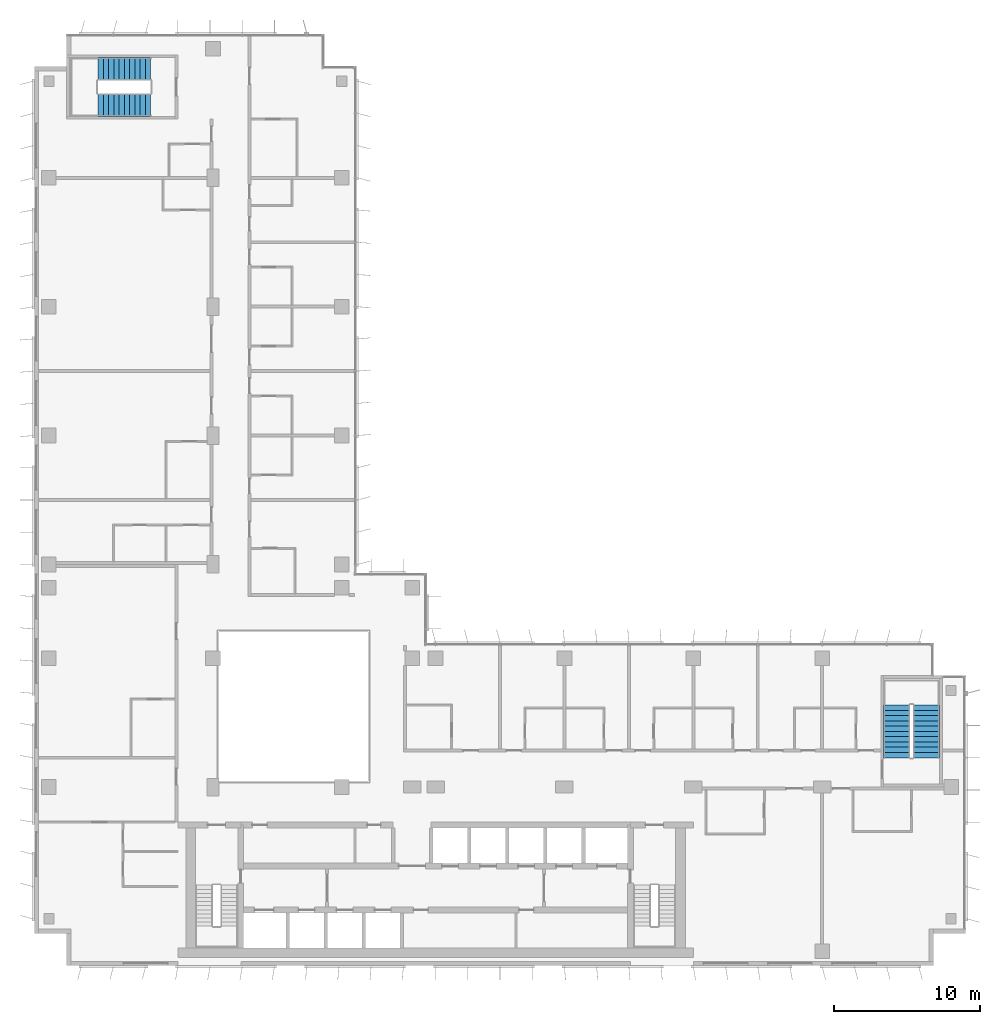
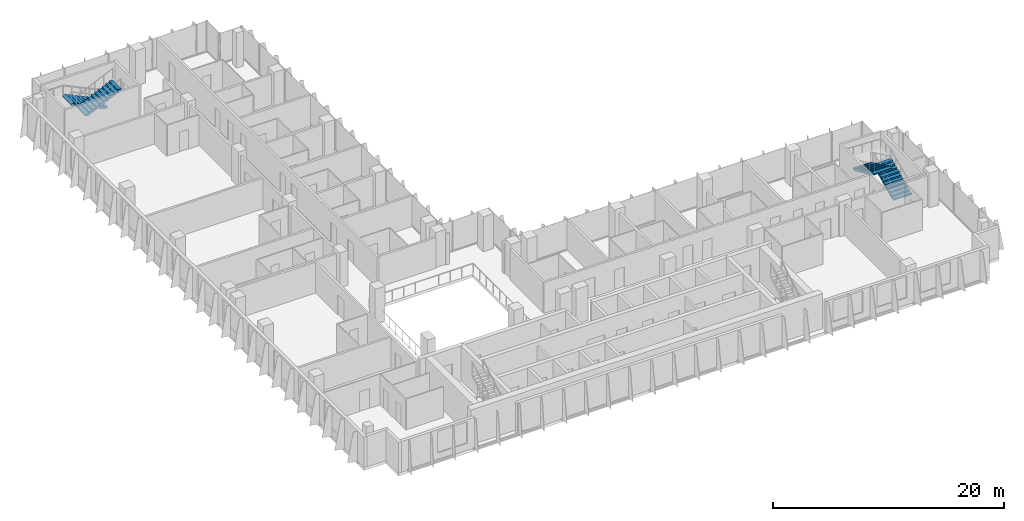
# One storey, part 18 of 21: 4 stair flights, 2 elements without a shape of their own.
"""IFC4 building model written with IfcOpenShell, lengths in metres."""

from ifc_helpers import new_model, si_unit, direction, frame, origin, place, context, subcontext, project, spatial, polyline, outline, extrude, material, type_object, element, aggregate, save


model = new_model("IFC4")

# Units and contexts
model_context = context("Model", 3, precision=1e-05, world=origin(), true_north=direction((0.0, 1.0)))
body_context = subcontext(model_context, "Body", "Model", "MODEL_VIEW")
ifc_project = project(units=[si_unit("LENGTHUNIT", "METRE"), si_unit("AREAUNIT", "SQUARE_METRE"), si_unit("VOLUMEUNIT", "CUBIC_METRE"), si_unit("PLANEANGLEUNIT", "RADIAN"), si_unit("MASSUNIT", "GRAM", prefix="KILO")], contexts=[model_context])

# Site, building, storey
site_placement = place(None, origin())
site = spatial("IfcSite", under=ifc_project, at=site_placement, CompositionType="ELEMENT")
building_placement = place(site_placement, origin())
building = spatial("IfcBuilding", under=site, at=building_placement, Name="Kemantara Hotel Tower", CompositionType="ELEMENT")
storey_placement = place(building_placement, frame((0.0, 0.0, 219.10009765625)))
storey = spatial("IfcBuildingStorey", under=building, at=storey_placement, Name="L54", CompositionType="ELEMENT", Elevation=219.10009765625)

# Stair, stair flights
ifc_material = material(Name="Concrete fc 40 MPa", Category="concrete")
stair_type_1 = type_object("IfcStairType", Name="Stair 1550 wide 22 risers of 168 x 360 mm", PredefinedType="HALF_TURN_STAIR", material=ifc_material)
stair_1_placement = place(storey_placement, origin())
stair_1 = element("IfcStair", 1, at=stair_1_placement, inside=storey, type_object=stair_type_1, Name="L54 Exit stair ST4", PredefinedType="HALF_TURN_STAIR")
stair_flight_type_1 = type_object("IfcStairFlightType", Name="Stair flight 1550 wide 168 x 360 mm", PredefinedType="STRAIGHT", material=ifc_material)
stair_flight_1_placement = place(storey_placement, frame((7.949951171875, 61.22509765625, 0.0), z_axis=(0.0, 0.0, 1.0), x_axis=(-1.0, 0.0, 0.0)))
stair_flight_1 = element("IfcStairFlight", 2, at=stair_flight_1_placement, type_object=stair_flight_type_1, Name="ST4 flight 1", NumberOfRisers=11, NumberOfTreads=10, PredefinedType="STRAIGHT", RiserHeight=0.168181818, TreadLength=0.36, context=body_context, shape_type="SweptSolid", body=[
    extrude(outline(polyline([(0.0, 0.0), (0.0, 0.168212890625), (0.360107421875, 0.168212890625), (0.360107421875, 0.33642578125), (0.719970703125, 0.33642578125), (0.719970703125, 0.504638671875), (1.080078125, 0.504638671875), (1.080078125, 0.672607421875), (1.43994140625, 0.672607421875), (1.43994140625, 0.8408203125), (1.800048828125, 0.8408203125), (1.800048828125, 1.009033203125), (2.159912109375, 1.009033203125), (2.159912109375, 1.17724609375), (2.52001953125, 1.17724609375), (2.52001953125, 1.345458984375), (2.8798828125, 1.345458984375), (2.8798828125, 1.513671875), (3.239990234375, 1.513671875), (3.239990234375, 1.681884765625), (3.60009765625, 1.681884765625), (3.60009765625, 1.85009765625), (3.60009765625, 1.516357421875), (0.354248046875, 0.0), (0.0, 0.0)])), frame((0.0, 0.77490234375, 0.0), z_axis=(0.0, -1.0, 0.0), x_axis=(1.0, 0.0, 0.0)), (0.0, 0.0, 1.0), 1.550048828125),
])
stair_flight_2_placement = place(storey_placement, frame((4.35009765625, 58.77490234375, 1.849853515625), z_axis=(0.0, 0.0, 1.0), x_axis=(1.0, 0.0, 0.0)))
stair_flight_2 = element("IfcStairFlight", 3, at=stair_flight_2_placement, type_object=stair_flight_type_1, Name="ST4 flight 2", NumberOfRisers=11, NumberOfTreads=10, PredefinedType="STRAIGHT", RiserHeight=0.168181818, TreadLength=0.36, context=body_context, shape_type="SweptSolid", body=[
    extrude(outline(polyline([(0.0, 0.0), (0.0, 0.168212890625), (0.360107421875, 0.168212890625), (0.360107421875, 0.33642578125), (0.719970703125, 0.33642578125), (0.719970703125, 0.504638671875), (1.080078125, 0.504638671875), (1.080078125, 0.672607421875), (1.43994140625, 0.672607421875), (1.43994140625, 0.8408203125), (1.800048828125, 0.8408203125), (1.800048828125, 1.009033203125), (2.159912109375, 1.009033203125), (2.159912109375, 1.17724609375), (2.52001953125, 1.17724609375), (2.52001953125, 1.345458984375), (2.8798828125, 1.345458984375), (2.8798828125, 1.513671875), (3.239990234375, 1.513671875), (3.239990234375, 1.681884765625), (3.60009765625, 1.681884765625), (3.60009765625, 1.85009765625), (3.60009765625, 1.516357421875), (0.354248046875, 0.0), (0.0, 0.0)])), frame((0.0, 0.77490234375, 0.0), z_axis=(0.0, -1.0, 0.0), x_axis=(1.0, 0.0, 0.0)), (0.0, 0.0, 1.0), 1.550048828125),
])
aggregate(stair_1, [stair_flight_1, stair_flight_2])

stair_type_2 = type_object("IfcStairType", Name="Stair 1800 wide 22 risers of 168 x 360 mm", PredefinedType="HALF_TURN_STAIR", material=ifc_material)
stair_2_placement = place(storey_placement, origin())
stair_2 = element("IfcStair", 4, at=stair_2_placement, inside=storey, type_object=stair_type_2, Name="L54 Exit stair ST3", PredefinedType="HALF_TURN_STAIR")
stair_flight_type_2 = type_object("IfcStairFlightType", Name="Stair flight 1800 wide 168 x 360 mm", PredefinedType="STRAIGHT", material=ifc_material)
stair_flight_3_placement = place(storey_placement, frame((60.89990234375, 14.199951171875, 0.0), z_axis=(0.0, 0.0, 1.0), x_axis=(0.0, 1.0, 0.0)))
stair_flight_3 = element("IfcStairFlight", 5, at=stair_flight_3_placement, type_object=stair_flight_type_2, Name="ST3 flight 1", NumberOfRisers=11, NumberOfTreads=10, PredefinedType="STRAIGHT", RiserHeight=0.168181818, TreadLength=0.36, context=body_context, shape_type="SweptSolid", body=[
    extrude(outline(polyline([(0.0, 0.0), (0.0, 0.168212890625), (0.360107421875, 0.168212890625), (0.360107421875, 0.33642578125), (0.719970703125, 0.33642578125), (0.719970703125, 0.504638671875), (1.080078125, 0.504638671875), (1.080078125, 0.672607421875), (1.43994140625, 0.672607421875), (1.43994140625, 0.8408203125), (1.800048828125, 0.8408203125), (1.800048828125, 1.009033203125), (2.159912109375, 1.009033203125), (2.159912109375, 1.17724609375), (2.52001953125, 1.17724609375), (2.52001953125, 1.345458984375), (2.8798828125, 1.345458984375), (2.8798828125, 1.513671875), (3.239990234375, 1.513671875), (3.239990234375, 1.681884765625), (3.60009765625, 1.681884765625), (3.60009765625, 1.85009765625), (3.60009765625, 1.516357421875), (0.354248046875, 0.0), (0.0, 0.0)])), frame((0.0, 0.89990234375, 0.0), z_axis=(0.0, -1.0, 0.0), x_axis=(1.0, 0.0, 0.0)), (0.0, 0.0, 1.0), 1.800048828125),
])
stair_flight_4_placement = place(storey_placement, frame((58.89990234375, 17.800048828125, 1.849853515625), z_axis=(0.0, 0.0, 1.0), x_axis=(0.0, -1.0, 0.0)))
stair_flight_4 = element("IfcStairFlight", 6, at=stair_flight_4_placement, type_object=stair_flight_type_2, Name="ST3 flight 2", NumberOfRisers=11, NumberOfTreads=10, PredefinedType="STRAIGHT", RiserHeight=0.168181818, TreadLength=0.36, context=body_context, shape_type="SweptSolid", body=[
    extrude(outline(polyline([(0.0, 0.0), (0.0, 0.168212890625), (0.360107421875, 0.168212890625), (0.360107421875, 0.33642578125), (0.719970703125, 0.33642578125), (0.719970703125, 0.504638671875), (1.080078125, 0.504638671875), (1.080078125, 0.672607421875), (1.43994140625, 0.672607421875), (1.43994140625, 0.8408203125), (1.800048828125, 0.8408203125), (1.800048828125, 1.009033203125), (2.159912109375, 1.009033203125), (2.159912109375, 1.17724609375), (2.52001953125, 1.17724609375), (2.52001953125, 1.345458984375), (2.8798828125, 1.345458984375), (2.8798828125, 1.513671875), (3.239990234375, 1.513671875), (3.239990234375, 1.681884765625), (3.60009765625, 1.681884765625), (3.60009765625, 1.85009765625), (3.60009765625, 1.516357421875), (0.354248046875, 0.0), (0.0, 0.0)])), frame((0.0, 0.89990234375, 0.0), z_axis=(0.0, -1.0, 0.0), x_axis=(1.0, 0.0, 0.0)), (0.0, 0.0, 1.0), 1.800048828125),
])
aggregate(stair_2, [stair_flight_3, stair_flight_4])

save(model, "model.ifc")
